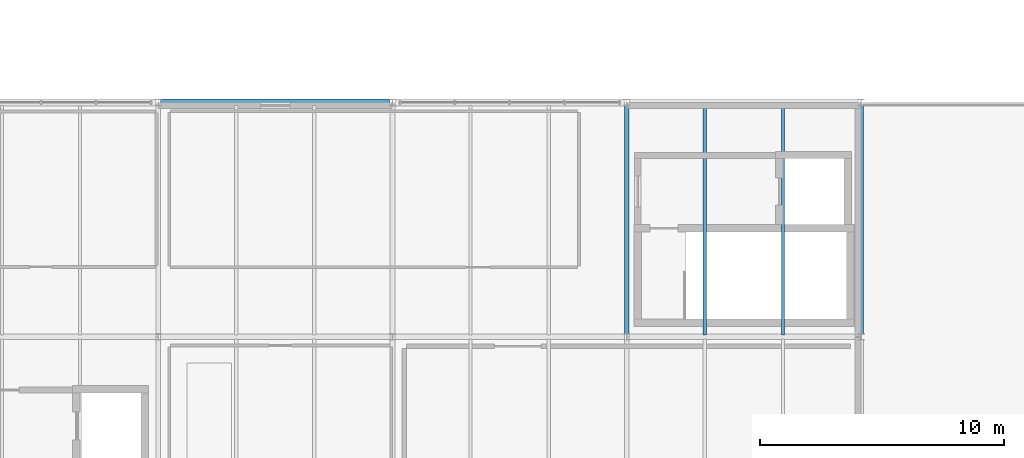
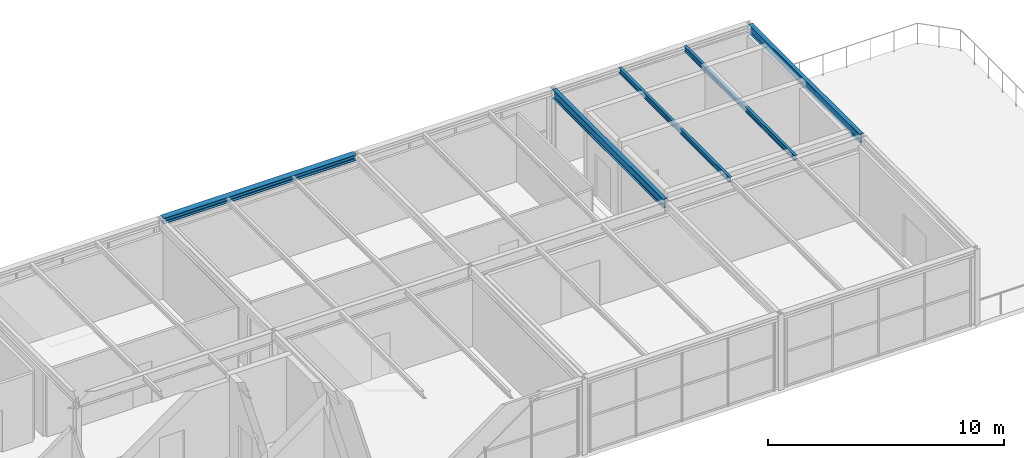
# One storey, part 23 of 33: 5 beams.
"""IFC4 building model written with IfcOpenShell, lengths in metres."""

import ifcopenshell
import ifcopenshell.guid

model = None  # the IFC model being written
_history = None  # IfcOwnerHistory: only IFC2X3 demands one
_inside = {}  # id of a spatial element -> (the spatial element, [elements in it])
_under = {}  # id of a project, library or spatial element -> (it, [spatial elements below it])
_declared = {}  # id of a project -> (the project, [libraries it declares])
_typed = {}  # id of a type object -> (the type object, [elements of that type])
_made_of = {}  # id of a material, layer set ... -> (it, [elements and type objects made of it])


def new_model(schema):
    """Start an empty IFC model of exactly this schema.

    Asked for "IFC4X3", IfcOpenShell would pick the latest addendum, in which some entities
    have other attributes; the version numbers below select the first issue.
    IFC2X3 requires an IfcOwnerHistory on every rooted entity: one is made here for all.
    """
    global model, _history
    if schema == "IFC4X3":
        model = ifcopenshell.file(schema_version=(4, 3, 0, 0))
    else:
        model = ifcopenshell.file(schema=schema)
    _inside.clear()
    _under.clear()
    _declared.clear()
    _typed.clear()
    _made_of.clear()
    _history = None
    if model.schema == "IFC2X3":
        org = make("IfcOrganization", Name="unknown")
        user = make(
            "IfcPersonAndOrganization",
            ThePerson=make("IfcPerson", FamilyName="unknown"),
            TheOrganization=org,
        )
        app = make(
            "IfcApplication",
            ApplicationDeveloper=org,
            Version="unknown",
            ApplicationFullName="unknown",
            ApplicationIdentifier="unknown",
        )
        _history = make(
            "IfcOwnerHistory",
            OwningUser=user,
            OwningApplication=app,
            ChangeAction="ADDED",
            CreationDate=0,
        )
    return model


def make(cls, **values):
    """One entity of the class cls with the attributes given. An attribute that is None is left unset."""
    return model.create_entity(
        cls, **{name: value for name, value in values.items() if value is not None}
    )


def rooted(cls, **values):
    """An entity with a GlobalId (a new one), such as an element, a storey or a relation."""
    return make(cls, GlobalId=ifcopenshell.guid.new(), OwnerHistory=_history, **values)


def si_unit(unit_type, name, prefix=None):
    """IfcSIUnit, for example si_unit("LENGTHUNIT", "METRE", prefix="MILLI")."""
    return make("IfcSIUnit", UnitType=unit_type, Prefix=prefix, Name=name)


def assignment(units):
    """IfcUnitAssignment: the units of a project."""
    return None if units is None else make("IfcUnitAssignment", Units=units)


def point(xyz):
    """IfcCartesianPoint."""
    return None if xyz is None else make("IfcCartesianPoint", Coordinates=xyz)


def direction(xyz):
    """IfcDirection."""
    return None if xyz is None else make("IfcDirection", DirectionRatios=xyz)


def frame(location, z_axis=None, x_axis=None):
    """IfcAxis2Placement3D, a coordinate frame: its origin and axes. An axis left out is left unset."""
    return make(
        "IfcAxis2Placement3D",
        Location=point(location),
        Axis=direction(z_axis),
        RefDirection=direction(x_axis),
    )


def frame_2d(location, x_axis=None):
    """IfcAxis2Placement2D, a coordinate frame in the plane: its origin and x axis."""
    return make(
        "IfcAxis2Placement2D", Location=point(location), RefDirection=direction(x_axis)
    )


def origin():
    """The frame at (0, 0, 0) with its axes left unset."""
    return frame((0.0, 0.0, 0.0))


def origin_2d():
    """The frame at (0, 0) in the plane with its x axis left unset."""
    return frame_2d((0.0, 0.0))


def place(relative_to, where):
    """IfcLocalPlacement: puts the frame where relative to a parent placement (None: the world)."""
    return make(
        "IfcLocalPlacement", PlacementRelTo=relative_to, RelativePlacement=where
    )


def context(
    kind, dimensions, precision=None, world=None, true_north=None, identifier=None
):
    """IfcGeometricRepresentationContext, for example the 3D "Model" context."""
    return make(
        "IfcGeometricRepresentationContext",
        ContextIdentifier=identifier,
        ContextType=kind,
        CoordinateSpaceDimension=dimensions,
        Precision=precision,
        WorldCoordinateSystem=world,
        TrueNorth=true_north,
    )


def subcontext(parent, identifier, kind, view, scale=None):
    """IfcGeometricRepresentationSubContext, for example "Body" below "Model"."""
    return make(
        "IfcGeometricRepresentationSubContext",
        ContextIdentifier=identifier,
        ContextType=kind,
        ParentContext=parent,
        TargetScale=scale,
        TargetView=view,
    )


def project(units=None, contexts=None):
    """IfcProject with its units and contexts."""
    return rooted(
        "IfcProject",
        Name="project",
        RepresentationContexts=contexts,
        UnitsInContext=assignment(units),
    )


def spatial(cls, under=None, at=None, **own):
    """A site, building, storey or space (cls), placed at a placement, below another one or the project."""
    s = rooted(cls, ObjectPlacement=at, **own)
    if under is not None:
        _under.setdefault(under.id(), (under, []))[1].append(s)
    return s


def profile(cls, at=None, kind="AREA", **sizes):
    """A parametric profile (cls). Its sizes go by their IFC names, for example OverallWidth=200.0."""
    return make(cls, ProfileType=kind, Position=at, **sizes)


def i_section(**sizes):
    """IfcIShapeProfileDef."""
    return profile("IfcIShapeProfileDef", **sizes)


def extrude(swept, where, along, depth):
    """IfcExtrudedAreaSolid: the profile swept, set in the frame where, extruded along a direction by depth."""
    return make(
        "IfcExtrudedAreaSolid",
        SweptArea=swept,
        Position=where,
        ExtrudedDirection=direction(along),
        Depth=depth,
    )


def shape(context_of_items, identifier, shape_type, items):
    """IfcShapeRepresentation: the items that make up one representation, for example the "Body"."""
    return make(
        "IfcShapeRepresentation",
        ContextOfItems=context_of_items,
        RepresentationIdentifier=identifier,
        RepresentationType=shape_type,
        Items=items,
    )


def material(Name=None, Category=None):
    """IfcMaterial."""
    return make("IfcMaterial", Name=Name, Category=Category)


def material_profile(
    of_material, cross_section, Name=None, Category=None, Priority=None
):
    """IfcMaterialProfile: a cross section and its material."""
    return make(
        "IfcMaterialProfile",
        Name=Name,
        Material=of_material,
        Profile=cross_section,
        Priority=Priority,
        Category=Category,
    )


def profile_set(profiles, Name=None, composite=None):
    """IfcMaterialProfileSet."""
    return make(
        "IfcMaterialProfileSet",
        Name=Name,
        MaterialProfiles=profiles,
        CompositeProfile=composite,
    )


def made_of(thing, what):
    """Note that an element or type object is made of a material, layer set ...; save() writes the relation."""
    if what is not None:
        _made_of.setdefault(what.id(), (what, []))[1].append(thing)
    return thing


def type_object(cls, material=None, **own):
    """A type object (cls), such as IfcWallType, which elements share."""
    return made_of(rooted(cls, **own), material)


def element(
    cls,
    number,
    at=None,
    inside=None,
    cuts=None,
    type_object=None,
    material=None,
    context=None,
    identifier="Body",
    shape_type=None,
    held_by="IfcProductDefinitionShape",
    body=None,
    shapes=None,
    **own,
):
    """One element of the class cls, such as IfcWall. Its Tag is "e" and its number.

    at: its placement. inside: the storey or other place that contains it. cuts: it is an
    opening in that element (IfcRelVoidsElement). A single representation is given by context,
    identifier, shape_type and body (its items); several are given by shapes. held_by: the class
    of the entity that holds the representations. save() writes the other relations.
    """
    e = rooted(cls, Tag="e%d" % number, ObjectPlacement=at, **own)
    if body is not None:
        shapes = [shape(context, identifier, shape_type, body)]
    if shapes is not None:
        e.Representation = make(held_by, Representations=shapes)
    if inside is not None:
        _inside.setdefault(inside.id(), (inside, []))[1].append(e)
    if cuts is not None:
        rooted(
            "IfcRelVoidsElement", RelatingBuildingElement=cuts, RelatedOpeningElement=e
        )
    if type_object is not None:
        _typed.setdefault(type_object.id(), (type_object, []))[1].append(e)
    return made_of(e, material)


def aggregate(whole, parts):
    """IfcRelAggregates: a whole, such as a stair, and the parts it consists of."""
    return rooted("IfcRelAggregates", RelatingObject=whole, RelatedObjects=parts)


def save(model, path):
    """Write the relations noted so far, then the file.

    IfcRelAggregates (storeys below a building ...), IfcRelContainedInSpatialStructure (elements
    in a storey), IfcRelDefinesByType, IfcRelAssociatesMaterial and IfcRelDeclares: one each for
    every whole, place, type object, material and project.
    """
    for whole, parts in _under.values():
        aggregate(whole, parts)
    for where, things in _inside.values():
        rooted(
            "IfcRelContainedInSpatialStructure",
            RelatedElements=things,
            RelatingStructure=where,
        )
    for kind, things in _typed.values():
        rooted("IfcRelDefinesByType", RelatedObjects=things, RelatingType=kind)
    for what, things in _made_of.values():
        rooted("IfcRelAssociatesMaterial", RelatedObjects=things, RelatingMaterial=what)
    for by, libraries in _declared.values():
        rooted("IfcRelDeclares", RelatingContext=by, RelatedDefinitions=libraries)
    model.write(path)


model = new_model("IFC4")

# Units and contexts
model_context = context("Model", 3, precision=1e-05, world=origin(), true_north=direction((0.0, 1.0)))
body_context = subcontext(model_context, "Body", "Model", "MODEL_VIEW")
ifc_project = project(units=[si_unit("LENGTHUNIT", "METRE"), si_unit("AREAUNIT", "SQUARE_METRE"), si_unit("VOLUMEUNIT", "CUBIC_METRE"), si_unit("PLANEANGLEUNIT", "RADIAN"), si_unit("MASSUNIT", "GRAM", prefix="KILO")], contexts=[model_context])

# Site, building, storey
site_placement = place(None, origin())
site = spatial("IfcSite", under=ifc_project, at=site_placement, CompositionType="ELEMENT")
building_placement = place(site_placement, origin())
building = spatial("IfcBuilding", under=site, at=building_placement, Name="Coralgate Yard Interchange", CompositionType="ELEMENT")
storey_placement = place(building_placement, frame((0.0, 0.0, 23.10009765625)))
storey = spatial("IfcBuildingStorey", under=building, at=storey_placement, Name="L05", CompositionType="ELEMENT", Elevation=23.10009765625)

# Beams
ifc_material = material(Name="Structural steel S355J2", Category="steel")
ifc_material_profile_1 = material_profile(ifc_material, i_section(OverallWidth=0.1904296875, OverallDepth=0.45703125, WebThickness=0.009033203125, FlangeThickness=0.014404296875, FilletRadius=0.01025390625, at=origin_2d()), Name="UB 457x191x74")
ifc_profile_set_1 = profile_set([ifc_material_profile_1], Name="Structural steel S355J2")
beam_type_1 = type_object("IfcBeamType", Name="BM-SB-2", PredefinedType="BEAM", material=ifc_profile_set_1)
for number, where, z_axis, x_axis, name in (
    (1, (48.0, 9.7001953125, 3.69140625), (0.0, 1.0, 0.0), (-1.0, 0.0, 0.0), "L05 primary grid girder X5 Y1-2"),
    (2, (57.60009765625, 9.7001953125, 3.69140625), (0.0, 1.0, 0.0), (-1.0, 0.0, 0.0), "L05 primary grid girder X6 Y1-2"),
):
    element("IfcBeam", number, at=place(storey_placement, frame(where, z_axis=z_axis, x_axis=x_axis)), inside=storey, type_object=beam_type_1, Name=name, PredefinedType="BEAM", context=body_context, shape_type="SweptSolid", body=[
        extrude(i_section(OverallWidth=0.1904296875, OverallDepth=0.45703125, WebThickness=0.009033203125, FlangeThickness=0.014404296875, FilletRadius=0.01025390625, at=origin_2d()), origin(), (0.0, 0.0, 1.0), 9.399658203125),
    ])
ifc_material_profile_2 = material_profile(ifc_material, i_section(OverallWidth=0.135009765625, OverallDepth=0.27001953125, WebThickness=0.006591796875, FlangeThickness=0.01025390625, FilletRadius=0.014892578125, at=origin_2d()), Name="IPE 270")
ifc_profile_set_2 = profile_set([ifc_material_profile_2], Name="Structural steel S355J2")
beam_type_2 = type_object("IfcBeamType", Name="BM-SJ-3", PredefinedType="JOIST", material=ifc_profile_set_2)
for number, where, z_axis, x_axis, name in (
    (3, (51.199951171875, 9.68408203125, 3.784912109375), (0.0, 1.0, 0.0), (-1.0, 0.0, 0.0), "L05 composite floor joist 5-1-1"),
    (4, (54.39990234375, 9.68408203125, 3.784912109375), (0.0, 1.0, 0.0), (-1.0, 0.0, 0.0), "L05 composite floor joist 5-1-2"),
):
    element("IfcBeam", number, at=place(storey_placement, frame(where, z_axis=z_axis, x_axis=x_axis)), inside=storey, type_object=beam_type_2, Name=name, PredefinedType="JOIST", context=body_context, shape_type="SweptSolid", body=[
        extrude(i_section(OverallWidth=0.135009765625, OverallDepth=0.27001953125, WebThickness=0.006591796875, FlangeThickness=0.01025390625, FilletRadius=0.014892578125, at=origin_2d()), origin(), (0.0, 0.0, 1.0), 9.39599609375),
    ])
ifc_material_profile_3 = material_profile(ifc_material, i_section(OverallWidth=0.300048828125, OverallDepth=0.2900390625, WebThickness=0.008544921875, FlangeThickness=0.013916015625, FilletRadius=0.027099609375, at=origin_2d()), Name="HEA 300")
ifc_profile_set_3 = profile_set([ifc_material_profile_3], Name="Structural steel S355J2")
beam_type_3 = type_object("IfcBeamType", Name="BM-SP-2", PredefinedType="SPANDREL", material=ifc_profile_set_3)
beam_placement = place(storey_placement, frame((28.898193359375, 19.199951171875, 3.77490234375), z_axis=(1.0, 0.0, 0.0), x_axis=(0.0, 1.0, 0.0)))
element("IfcBeam", 5, at=beam_placement, inside=storey, type_object=beam_type_3, Name="L05 primary grid beam Y2 X3-4", PredefinedType="SPANDREL", context=body_context, shape_type="SweptSolid", body=[
    extrude(i_section(OverallWidth=0.300048828125, OverallDepth=0.2900390625, WebThickness=0.008544921875, FlangeThickness=0.013916015625, FilletRadius=0.027099609375, at=origin_2d()), origin(), (0.0, 0.0, 1.0), 9.40380859375),
])

save(model, "model.ifc")
